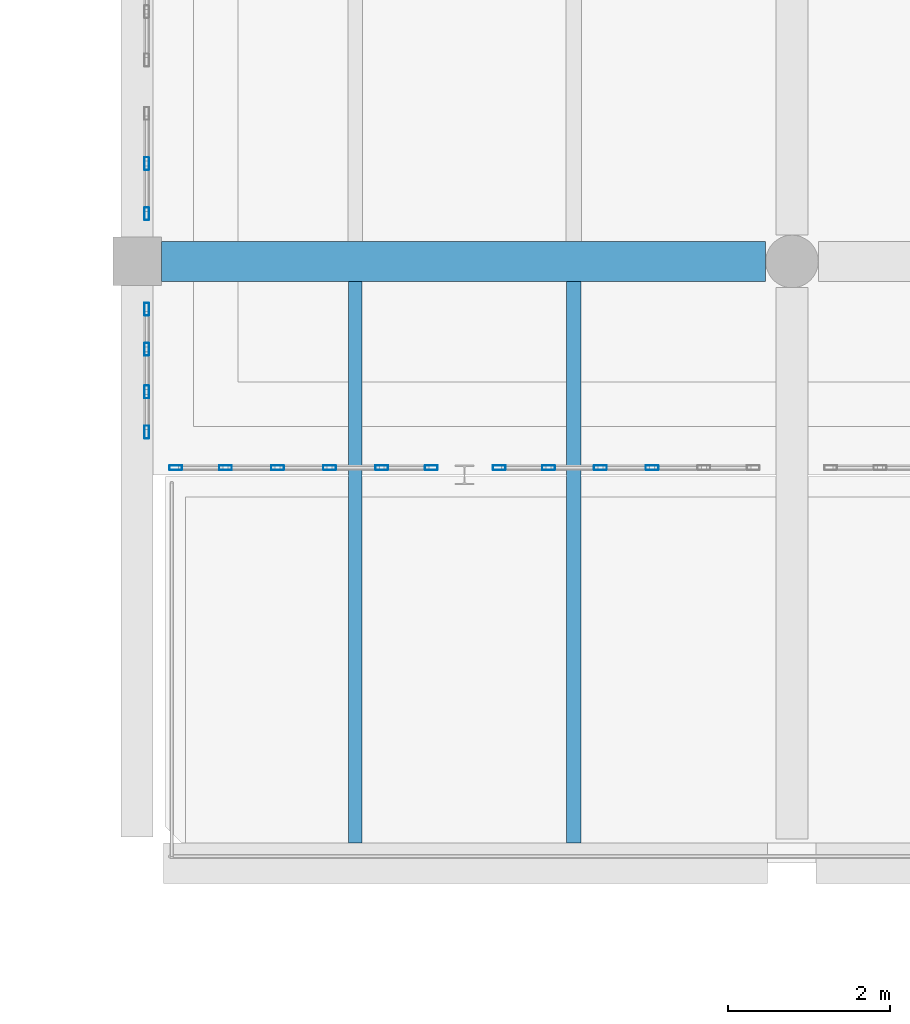
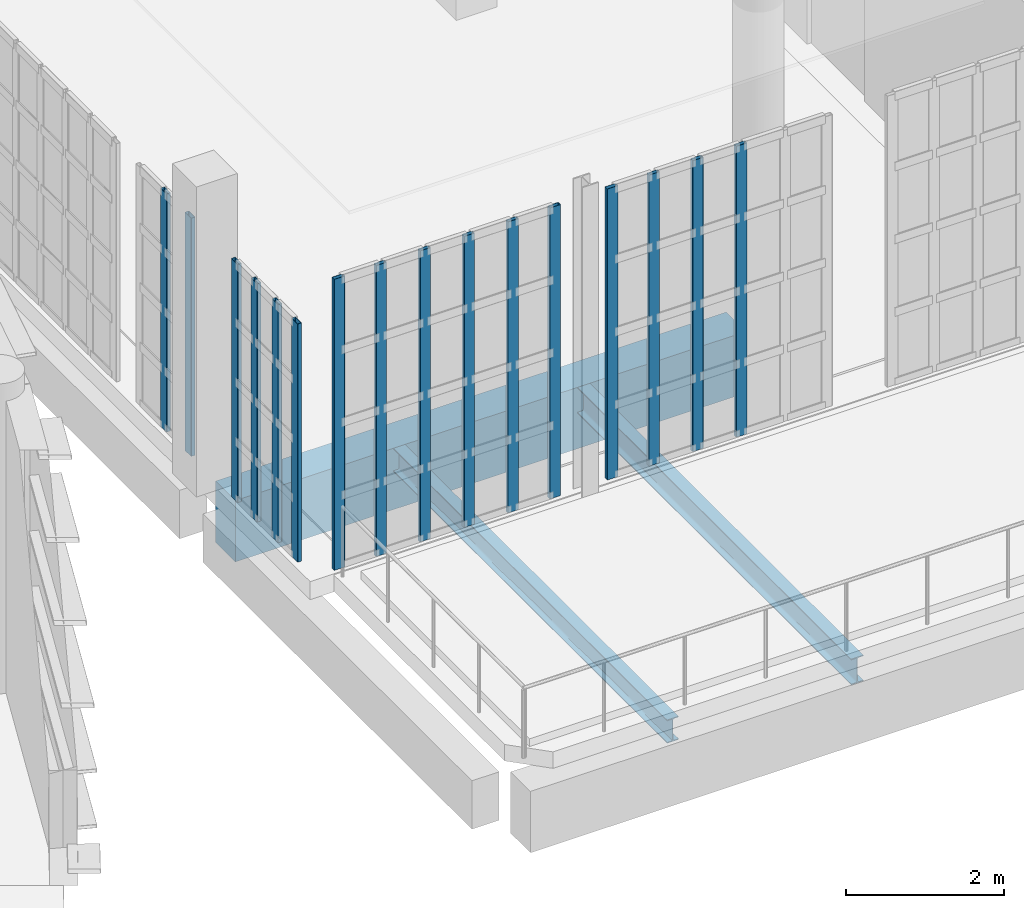
# One storey, part 28 of 104: 16 members, 3 beams, 4 elements without a shape of their own.
"""IFC4 building model written with IfcOpenShell, lengths in metres."""

from ifc_helpers import new_model, si_unit, direction, frame, origin, origin_2d, place, context, subcontext, project, spatial, rectangle, hollow_rectangle, i_section, extrude, material, material_profile, profile_set, type_object, element, aggregate, save


model = new_model("IFC4")

# Units and contexts
model_context = context("Model", 3, precision=1e-05, world=origin(), true_north=direction((0.0, 1.0)))
body_context = subcontext(model_context, "Body", "Model", "MODEL_VIEW")
ifc_project = project(units=[si_unit("LENGTHUNIT", "METRE"), si_unit("AREAUNIT", "SQUARE_METRE"), si_unit("VOLUMEUNIT", "CUBIC_METRE"), si_unit("PLANEANGLEUNIT", "RADIAN"), si_unit("MASSUNIT", "GRAM", prefix="KILO")], contexts=[model_context])

# Site, building, storey
site_placement = place(None, origin())
site = spatial("IfcSite", under=ifc_project, at=site_placement, CompositionType="ELEMENT")
building_placement = place(site_placement, origin())
building = spatial("IfcBuilding", under=site, at=building_placement, Name="Kaelora Sail Theatre", CompositionType="ELEMENT")
storey_placement = place(building_placement, frame((0.0, 0.0, 5.39990234375)))
storey = spatial("IfcBuildingStorey", under=building, at=storey_placement, Name="L01", CompositionType="ELEMENT", Elevation=5.39990234375)

# Curtain wall, members
ifc_material_1 = material(Name="Anodised aluminium and solar-control low-E IGU", Category="aluminium")
curtain_wall_type = type_object("IfcCurtainWallType", Name="ARC-CW-CW-PROW", PredefinedType="NOTDEFINED", material=ifc_material_1)
curtain_wall_1_placement = place(storey_placement, origin())
curtain_wall_1 = element("IfcCurtainWall", 1, at=curtain_wall_1_placement, inside=storey, type_object=curtain_wall_type, Name="East Interstitial Sail Foyer Curtain Wall L01-01", PredefinedType="NOTDEFINED")
ifc_material_2 = material(Name="Anodised aluminium 6063-T6", Category="aluminium")
ifc_material_profile_1 = material_profile(ifc_material_2, hollow_rectangle(XDim=0.06005859375, YDim=0.159912109375, WallThickness=0.00390625, InnerFilletRadius=0.00390625, OuterFilletRadius=0.008056640625, at=origin_2d()), Name="ALU-MULL 60x160x4")
ifc_profile_set_1 = profile_set([ifc_material_profile_1], Name="Anodised aluminium 6063-T6")
member_type = type_object("IfcMemberType", Name="ARC-MEM-ML-160", PredefinedType="MULLION", material=ifc_profile_set_1)
member_1_placement = place(storey_placement, frame((107.280029296875, 43.590087890625, 0.0), z_axis=(0.0, 0.0, 1.0), x_axis=(0.0, 1.0, 0.0)))
member_1 = element("IfcMember", 2, at=member_1_placement, type_object=member_type, Name="CW-PROW mullion 1", PredefinedType="MULLION", context=body_context, shape_type="SweptSolid", body=[
    extrude(hollow_rectangle(XDim=0.06005859375, YDim=0.159912109375, WallThickness=0.00390625, InnerFilletRadius=0.00390625, OuterFilletRadius=0.008056640625, at=origin_2d()), origin(), (0.0, 0.0, 1.0), 4.505126953125),
])
member_2_placement = place(storey_placement, frame((107.89404296875, 43.590087890625, 0.0), z_axis=(0.0, 0.0, 1.0), x_axis=(0.0, 1.0, 0.0)))
member_2 = element("IfcMember", 3, at=member_2_placement, type_object=member_type, Name="CW-PROW mullion 2", PredefinedType="MULLION", context=body_context, shape_type="SweptSolid", body=[
    extrude(hollow_rectangle(XDim=0.06005859375, YDim=0.159912109375, WallThickness=0.00390625, InnerFilletRadius=0.00390625, OuterFilletRadius=0.008056640625, at=origin_2d()), origin(), (0.0, 0.0, 1.0), 4.505126953125),
])
member_3_placement = place(storey_placement, frame((108.5380859375, 43.590087890625, 0.0), z_axis=(0.0, 0.0, 1.0), x_axis=(0.0, 1.0, 0.0)))
member_3 = element("IfcMember", 4, at=member_3_placement, type_object=member_type, Name="CW-PROW mullion 3", PredefinedType="MULLION", context=body_context, shape_type="SweptSolid", body=[
    extrude(hollow_rectangle(XDim=0.06005859375, YDim=0.159912109375, WallThickness=0.00390625, InnerFilletRadius=0.00390625, OuterFilletRadius=0.008056640625, at=origin_2d()), origin(), (0.0, 0.0, 1.0), 4.505126953125),
])
member_4_placement = place(storey_placement, frame((109.181884765625, 43.590087890625, 0.0), z_axis=(0.0, 0.0, 1.0), x_axis=(0.0, 1.0, 0.0)))
member_4 = element("IfcMember", 5, at=member_4_placement, type_object=member_type, Name="CW-PROW mullion 4", PredefinedType="MULLION", context=body_context, shape_type="SweptSolid", body=[
    extrude(hollow_rectangle(XDim=0.06005859375, YDim=0.159912109375, WallThickness=0.00390625, InnerFilletRadius=0.00390625, OuterFilletRadius=0.008056640625, at=origin_2d()), origin(), (0.0, 0.0, 1.0), 4.505126953125),
])
member_5_placement = place(storey_placement, frame((109.825927734375, 43.590087890625, 0.0), z_axis=(0.0, 0.0, 1.0), x_axis=(0.0, 1.0, 0.0)))
member_5 = element("IfcMember", 6, at=member_5_placement, type_object=member_type, Name="CW-PROW mullion 5", PredefinedType="MULLION", context=body_context, shape_type="SweptSolid", body=[
    extrude(hollow_rectangle(XDim=0.06005859375, YDim=0.159912109375, WallThickness=0.00390625, InnerFilletRadius=0.00390625, OuterFilletRadius=0.008056640625, at=origin_2d()), origin(), (0.0, 0.0, 1.0), 4.505126953125),
])
member_6_placement = place(storey_placement, frame((110.43994140625, 43.590087890625, 0.0), z_axis=(0.0, 0.0, 1.0), x_axis=(0.0, 1.0, 0.0)))
member_6 = element("IfcMember", 7, at=member_6_placement, type_object=member_type, Name="CW-PROW mullion 6", PredefinedType="MULLION", context=body_context, shape_type="SweptSolid", body=[
    extrude(hollow_rectangle(XDim=0.06005859375, YDim=0.159912109375, WallThickness=0.00390625, InnerFilletRadius=0.00390625, OuterFilletRadius=0.008056640625, at=origin_2d()), origin(), (0.0, 0.0, 1.0), 4.505126953125),
])
aggregate(curtain_wall_1, [member_1, member_2, member_3, member_4, member_5, member_6])

curtain_wall_2_placement = place(storey_placement, origin())
curtain_wall_2 = element("IfcCurtainWall", 8, at=curtain_wall_2_placement, inside=storey, type_object=curtain_wall_type, Name="East Interstitial Sail Foyer Curtain Wall L01-02", PredefinedType="NOTDEFINED")
member_7_placement = place(storey_placement, frame((111.280029296875, 43.590087890625, 0.0), z_axis=(0.0, 0.0, 1.0), x_axis=(0.0, 1.0, 0.0)))
member_7 = element("IfcMember", 9, at=member_7_placement, type_object=member_type, Name="CW-PROW mullion 1", PredefinedType="MULLION", context=body_context, shape_type="SweptSolid", body=[
    extrude(hollow_rectangle(XDim=0.06005859375, YDim=0.159912109375, WallThickness=0.00390625, InnerFilletRadius=0.00390625, OuterFilletRadius=0.008056640625, at=origin_2d()), origin(), (0.0, 0.0, 1.0), 4.505126953125),
])
member_8_placement = place(storey_placement, frame((111.889892578125, 43.590087890625, 0.0), z_axis=(0.0, 0.0, 1.0), x_axis=(0.0, 1.0, 0.0)))
member_8 = element("IfcMember", 10, at=member_8_placement, type_object=member_type, Name="CW-PROW mullion 2", PredefinedType="MULLION", context=body_context, shape_type="SweptSolid", body=[
    extrude(hollow_rectangle(XDim=0.06005859375, YDim=0.159912109375, WallThickness=0.00390625, InnerFilletRadius=0.00390625, OuterFilletRadius=0.008056640625, at=origin_2d()), origin(), (0.0, 0.0, 1.0), 4.505126953125),
])
member_9_placement = place(storey_placement, frame((112.530029296875, 43.590087890625, 0.0), z_axis=(0.0, 0.0, 1.0), x_axis=(0.0, 1.0, 0.0)))
member_9 = element("IfcMember", 11, at=member_9_placement, type_object=member_type, Name="CW-PROW mullion 3", PredefinedType="MULLION", context=body_context, shape_type="SweptSolid", body=[
    extrude(hollow_rectangle(XDim=0.06005859375, YDim=0.159912109375, WallThickness=0.00390625, InnerFilletRadius=0.00390625, OuterFilletRadius=0.008056640625, at=origin_2d()), origin(), (0.0, 0.0, 1.0), 4.505126953125),
])
member_10_placement = place(storey_placement, frame((113.169921875, 43.590087890625, 0.0), z_axis=(0.0, 0.0, 1.0), x_axis=(0.0, 1.0, 0.0)))
member_10 = element("IfcMember", 12, at=member_10_placement, type_object=member_type, Name="CW-PROW mullion 4", PredefinedType="MULLION", context=body_context, shape_type="SweptSolid", body=[
    extrude(hollow_rectangle(XDim=0.06005859375, YDim=0.159912109375, WallThickness=0.00390625, InnerFilletRadius=0.00390625, OuterFilletRadius=0.008056640625, at=origin_2d()), origin(), (0.0, 0.0, 1.0), 4.505126953125),
])
aggregate(curtain_wall_2, [member_7, member_8, member_9, member_10])

curtain_wall_3_placement = place(storey_placement, origin())
curtain_wall_3 = element("IfcCurtainWall", 13, at=curtain_wall_3_placement, inside=storey, type_object=curtain_wall_type, Name="East Interstitial Foyer West Glazed Return L01-01", PredefinedType="NOTDEFINED")
member_11_placement = place(storey_placement, frame((106.919921875, 44.030029296875, 0.0), z_axis=(0.0, 0.0, 1.0), x_axis=(-1.0, 0.0, 0.0)))
member_11 = element("IfcMember", 14, at=member_11_placement, type_object=member_type, Name="CW-PROW mullion 1", PredefinedType="MULLION", context=body_context, shape_type="SweptSolid", body=[
    extrude(hollow_rectangle(XDim=0.06005859375, YDim=0.159912109375, WallThickness=0.00390625, InnerFilletRadius=0.00390625, OuterFilletRadius=0.008056640625, at=origin_2d()), origin(), (0.0, 0.0, 1.0), 3.68701171875),
])
member_12_placement = place(storey_placement, frame((106.919921875, 44.526611328125, 0.0), z_axis=(0.0, 0.0, 1.0), x_axis=(-1.0, 0.0, 0.0)))
member_12 = element("IfcMember", 15, at=member_12_placement, type_object=member_type, Name="CW-PROW mullion 2", PredefinedType="MULLION", context=body_context, shape_type="SweptSolid", body=[
    extrude(hollow_rectangle(XDim=0.06005859375, YDim=0.159912109375, WallThickness=0.00390625, InnerFilletRadius=0.00390625, OuterFilletRadius=0.008056640625, at=origin_2d()), origin(), (0.0, 0.0, 1.0), 3.68701171875),
])
member_13_placement = place(storey_placement, frame((106.919921875, 45.05322265625, 0.0), z_axis=(0.0, 0.0, 1.0), x_axis=(-1.0, 0.0, 0.0)))
member_13 = element("IfcMember", 16, at=member_13_placement, type_object=member_type, Name="CW-PROW mullion 3", PredefinedType="MULLION", context=body_context, shape_type="SweptSolid", body=[
    extrude(hollow_rectangle(XDim=0.06005859375, YDim=0.159912109375, WallThickness=0.00390625, InnerFilletRadius=0.00390625, OuterFilletRadius=0.008056640625, at=origin_2d()), origin(), (0.0, 0.0, 1.0), 3.68701171875),
])
member_14_placement = place(storey_placement, frame((106.919921875, 45.550048828125, 0.0), z_axis=(0.0, 0.0, 1.0), x_axis=(-1.0, 0.0, 0.0)))
member_14 = element("IfcMember", 17, at=member_14_placement, type_object=member_type, Name="CW-PROW mullion 4", PredefinedType="MULLION", context=body_context, shape_type="SweptSolid", body=[
    extrude(hollow_rectangle(XDim=0.06005859375, YDim=0.159912109375, WallThickness=0.00390625, InnerFilletRadius=0.00390625, OuterFilletRadius=0.008056640625, at=origin_2d()), origin(), (0.0, 0.0, 1.0), 3.68701171875),
])
aggregate(curtain_wall_3, [member_11, member_12, member_13, member_14])

curtain_wall_4_placement = place(storey_placement, origin())
curtain_wall_4 = element("IfcCurtainWall", 18, at=curtain_wall_4_placement, inside=storey, type_object=curtain_wall_type, Name="East Interstitial Foyer West Glazed Return L01-01", PredefinedType="NOTDEFINED")
member_15_placement = place(storey_placement, frame((106.919921875, 46.72998046875, 0.0), z_axis=(0.0, 0.0, 1.0), x_axis=(-1.0, 0.0, 0.0)))
member_15 = element("IfcMember", 19, at=member_15_placement, type_object=member_type, Name="CW-PROW mullion 1", PredefinedType="MULLION", context=body_context, shape_type="SweptSolid", body=[
    extrude(hollow_rectangle(XDim=0.06005859375, YDim=0.159912109375, WallThickness=0.00390625, InnerFilletRadius=0.00390625, OuterFilletRadius=0.008056640625, at=origin_2d()), origin(), (0.0, 0.0, 1.0), 3.68701171875),
])
member_16_placement = place(storey_placement, frame((106.919921875, 47.35009765625, 0.0), z_axis=(0.0, 0.0, 1.0), x_axis=(-1.0, 0.0, 0.0)))
member_16 = element("IfcMember", 20, at=member_16_placement, type_object=member_type, Name="CW-PROW mullion 2", PredefinedType="MULLION", context=body_context, shape_type="SweptSolid", body=[
    extrude(hollow_rectangle(XDim=0.06005859375, YDim=0.159912109375, WallThickness=0.00390625, InnerFilletRadius=0.00390625, OuterFilletRadius=0.008056640625, at=origin_2d()), origin(), (0.0, 0.0, 1.0), 3.68701171875),
])
aggregate(curtain_wall_4, [member_15, member_16])

# Beams
ifc_material_3 = material(Name="Concrete C45/55", Category="concrete")
ifc_material_profile_2 = material_profile(ifc_material_3, rectangle(XDim=0.5, YDim=0.949951171875, at=origin_2d()), Name="RC-GRD 500x950")
ifc_profile_set_2 = profile_set([ifc_material_profile_2], Name="Concrete C45/55")
beam_type_1 = type_object("IfcBeamType", Name="STR-BM-GR-RC5095", PredefinedType="T_BEAM", material=ifc_profile_set_2)
beam_1_placement = place(storey_placement, frame((107.10009765625, 46.139892578125, -0.77001953125), z_axis=(1.0, 0.0, 0.0), x_axis=(0.0, 1.0, 0.0)))
element("IfcBeam", 21, at=beam_1_placement, inside=storey, type_object=beam_type_1, Name="Primary beam G 14-15 (L01)", PredefinedType="T_BEAM", context=body_context, shape_type="SweptSolid", body=[
    extrude(rectangle(XDim=0.5, YDim=0.949951171875, at=origin_2d()), origin(), (0.0, 0.0, 1.0), 7.474853515625),
])
ifc_material_4 = material(Name="Steel S355", Category="steel")
ifc_material_profile_3 = material_profile(ifc_material_4, i_section(OverallWidth=0.169921875, OverallDepth=0.360107421875, WebThickness=0.008056640625, FlangeThickness=0.0126953125, FilletRadius=0.01806640625, at=origin_2d()), Name="IPE 360")
ifc_profile_set_3 = profile_set([ifc_material_profile_3], Name="Steel S355")
beam_type_2 = type_object("IfcBeamType", Name="STR-BM-JS-IPE360", PredefinedType="JOIST", material=ifc_profile_set_3)
beam_2_placement = place(storey_placement, frame((109.5, 38.949951171875, -0.474853515625), z_axis=(0.0, 1.0, 0.0), x_axis=(-1.0, 0.0, 0.0)))
element("IfcBeam", 22, at=beam_2_placement, inside=storey, type_object=beam_type_2, Name="Secondary floor joist 14/F-1 (L01)", PredefinedType="JOIST", context=body_context, shape_type="SweptSolid", body=[
    extrude(i_section(OverallWidth=0.169921875, OverallDepth=0.360107421875, WebThickness=0.008056640625, FlangeThickness=0.0126953125, FilletRadius=0.01806640625, at=origin_2d()), origin(), (0.0, 0.0, 1.0), 6.93994140625),
])
ifc_material_5 = material(Name="Steel S355", Category="steel")
ifc_material_profile_4 = material_profile(ifc_material_5, i_section(OverallWidth=0.179931640625, OverallDepth=0.39990234375, WebThickness=0.008544921875, FlangeThickness=0.013427734375, FilletRadius=0.02099609375, at=origin_2d()), Name="IPE 400")
ifc_profile_set_4 = profile_set([ifc_material_profile_4], Name="Steel S355")
beam_type_3 = type_object("IfcBeamType", Name="STR-BM-JS-IPE400", PredefinedType="JOIST", material=ifc_profile_set_4)
beam_3_placement = place(storey_placement, frame((112.199951171875, 38.949951171875, -0.494873046875), z_axis=(0.0, 1.0, 0.0), x_axis=(-1.0, 0.0, 0.0)))
element("IfcBeam", 23, at=beam_3_placement, inside=storey, type_object=beam_type_3, Name="Secondary floor joist 14/F-2 (L01)", PredefinedType="JOIST", context=body_context, shape_type="SweptSolid", body=[
    extrude(i_section(OverallWidth=0.179931640625, OverallDepth=0.39990234375, WebThickness=0.008544921875, FlangeThickness=0.013427734375, FilletRadius=0.02099609375, at=origin_2d()), origin(), (0.0, 0.0, 1.0), 6.93994140625),
])

save(model, "model.ifc")
